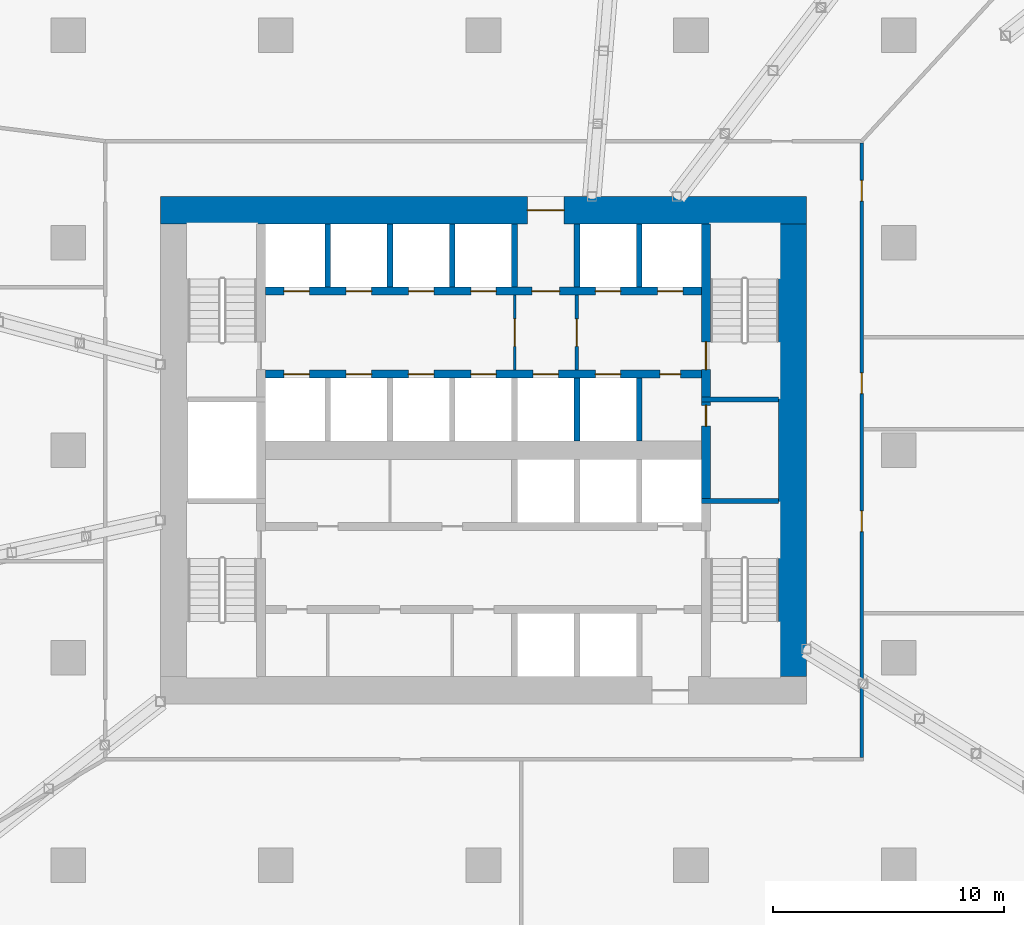
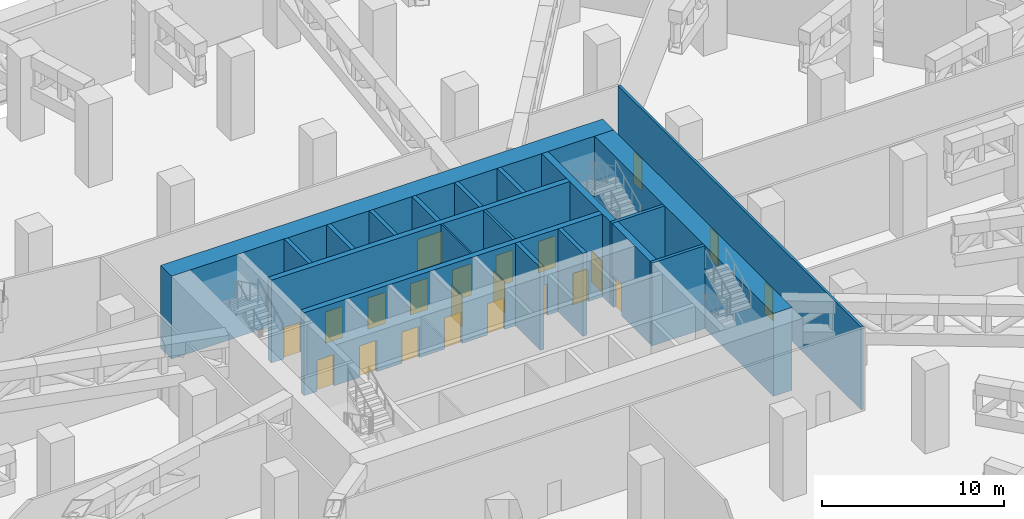
# One storey, part 18 of 38: 22 doors, 19 walls, 22 openings.
"""IFC4 building model written with IfcOpenShell, lengths in metres."""

import ifcopenshell
import ifcopenshell.guid

model = None  # the IFC model being written
_history = None  # IfcOwnerHistory: only IFC2X3 demands one
_inside = {}  # id of a spatial element -> (the spatial element, [elements in it])
_under = {}  # id of a project, library or spatial element -> (it, [spatial elements below it])
_declared = {}  # id of a project -> (the project, [libraries it declares])
_typed = {}  # id of a type object -> (the type object, [elements of that type])
_made_of = {}  # id of a material, layer set ... -> (it, [elements and type objects made of it])


def new_model(schema):
    """Start an empty IFC model of exactly this schema.

    Asked for "IFC4X3", IfcOpenShell would pick the latest addendum, in which some entities
    have other attributes; the version numbers below select the first issue.
    IFC2X3 requires an IfcOwnerHistory on every rooted entity: one is made here for all.
    """
    global model, _history
    if schema == "IFC4X3":
        model = ifcopenshell.file(schema_version=(4, 3, 0, 0))
    else:
        model = ifcopenshell.file(schema=schema)
    _inside.clear()
    _under.clear()
    _declared.clear()
    _typed.clear()
    _made_of.clear()
    _history = None
    if model.schema == "IFC2X3":
        org = make("IfcOrganization", Name="unknown")
        user = make(
            "IfcPersonAndOrganization",
            ThePerson=make("IfcPerson", FamilyName="unknown"),
            TheOrganization=org,
        )
        app = make(
            "IfcApplication",
            ApplicationDeveloper=org,
            Version="unknown",
            ApplicationFullName="unknown",
            ApplicationIdentifier="unknown",
        )
        _history = make(
            "IfcOwnerHistory",
            OwningUser=user,
            OwningApplication=app,
            ChangeAction="ADDED",
            CreationDate=0,
        )
    return model


def make(cls, **values):
    """One entity of the class cls with the attributes given. An attribute that is None is left unset."""
    return model.create_entity(
        cls, **{name: value for name, value in values.items() if value is not None}
    )


def rooted(cls, **values):
    """An entity with a GlobalId (a new one), such as an element, a storey or a relation."""
    return make(cls, GlobalId=ifcopenshell.guid.new(), OwnerHistory=_history, **values)


def si_unit(unit_type, name, prefix=None):
    """IfcSIUnit, for example si_unit("LENGTHUNIT", "METRE", prefix="MILLI")."""
    return make("IfcSIUnit", UnitType=unit_type, Prefix=prefix, Name=name)


def assignment(units):
    """IfcUnitAssignment: the units of a project."""
    return None if units is None else make("IfcUnitAssignment", Units=units)


def point(xyz):
    """IfcCartesianPoint."""
    return None if xyz is None else make("IfcCartesianPoint", Coordinates=xyz)


def direction(xyz):
    """IfcDirection."""
    return None if xyz is None else make("IfcDirection", DirectionRatios=xyz)


def frame(location, z_axis=None, x_axis=None):
    """IfcAxis2Placement3D, a coordinate frame: its origin and axes. An axis left out is left unset."""
    return make(
        "IfcAxis2Placement3D",
        Location=point(location),
        Axis=direction(z_axis),
        RefDirection=direction(x_axis),
    )


def frame_2d(location, x_axis=None):
    """IfcAxis2Placement2D, a coordinate frame in the plane: its origin and x axis."""
    return make(
        "IfcAxis2Placement2D", Location=point(location), RefDirection=direction(x_axis)
    )


def origin():
    """The frame at (0, 0, 0) with its axes left unset."""
    return frame((0.0, 0.0, 0.0))


def place(relative_to, where):
    """IfcLocalPlacement: puts the frame where relative to a parent placement (None: the world)."""
    return make(
        "IfcLocalPlacement", PlacementRelTo=relative_to, RelativePlacement=where
    )


def context(
    kind, dimensions, precision=None, world=None, true_north=None, identifier=None
):
    """IfcGeometricRepresentationContext, for example the 3D "Model" context."""
    return make(
        "IfcGeometricRepresentationContext",
        ContextIdentifier=identifier,
        ContextType=kind,
        CoordinateSpaceDimension=dimensions,
        Precision=precision,
        WorldCoordinateSystem=world,
        TrueNorth=true_north,
    )


def subcontext(parent, identifier, kind, view, scale=None):
    """IfcGeometricRepresentationSubContext, for example "Body" below "Model"."""
    return make(
        "IfcGeometricRepresentationSubContext",
        ContextIdentifier=identifier,
        ContextType=kind,
        ParentContext=parent,
        TargetScale=scale,
        TargetView=view,
    )


def project(units=None, contexts=None):
    """IfcProject with its units and contexts."""
    return rooted(
        "IfcProject",
        Name="project",
        RepresentationContexts=contexts,
        UnitsInContext=assignment(units),
    )


def spatial(cls, under=None, at=None, **own):
    """A site, building, storey or space (cls), placed at a placement, below another one or the project."""
    s = rooted(cls, ObjectPlacement=at, **own)
    if under is not None:
        _under.setdefault(under.id(), (under, []))[1].append(s)
    return s


def profile(cls, at=None, kind="AREA", **sizes):
    """A parametric profile (cls). Its sizes go by their IFC names, for example OverallWidth=200.0."""
    return make(cls, ProfileType=kind, Position=at, **sizes)


def rectangle(**sizes):
    """IfcRectangleProfileDef."""
    return profile("IfcRectangleProfileDef", **sizes)


def extrude(swept, where, along, depth):
    """IfcExtrudedAreaSolid: the profile swept, set in the frame where, extruded along a direction by depth."""
    return make(
        "IfcExtrudedAreaSolid",
        SweptArea=swept,
        Position=where,
        ExtrudedDirection=direction(along),
        Depth=depth,
    )


def shape(context_of_items, identifier, shape_type, items):
    """IfcShapeRepresentation: the items that make up one representation, for example the "Body"."""
    return make(
        "IfcShapeRepresentation",
        ContextOfItems=context_of_items,
        RepresentationIdentifier=identifier,
        RepresentationType=shape_type,
        Items=items,
    )


def material(Name=None, Category=None):
    """IfcMaterial."""
    return make("IfcMaterial", Name=Name, Category=Category)


def layer(
    of_material, thickness, ventilated=None, Name=None, Category=None, Priority=None
):
    """IfcMaterialLayer: one layer of a wall or slab, of a material (None: an air gap)."""
    return make(
        "IfcMaterialLayer",
        Material=of_material,
        LayerThickness=thickness,
        IsVentilated=ventilated,
        Name=Name,
        Category=Category,
        Priority=Priority,
    )


def layer_set(layers, Name=None):
    """IfcMaterialLayerSet."""
    return make("IfcMaterialLayerSet", MaterialLayers=layers, LayerSetName=Name)


def made_of(thing, what):
    """Note that an element or type object is made of a material, layer set ...; save() writes the relation."""
    if what is not None:
        _made_of.setdefault(what.id(), (what, []))[1].append(thing)
    return thing


def type_object(cls, material=None, **own):
    """A type object (cls), such as IfcWallType, which elements share."""
    return made_of(rooted(cls, **own), material)


def element(
    cls,
    number,
    at=None,
    inside=None,
    cuts=None,
    type_object=None,
    material=None,
    context=None,
    identifier="Body",
    shape_type=None,
    held_by="IfcProductDefinitionShape",
    body=None,
    shapes=None,
    **own,
):
    """One element of the class cls, such as IfcWall. Its Tag is "e" and its number.

    at: its placement. inside: the storey or other place that contains it. cuts: it is an
    opening in that element (IfcRelVoidsElement). A single representation is given by context,
    identifier, shape_type and body (its items); several are given by shapes. held_by: the class
    of the entity that holds the representations. save() writes the other relations.
    """
    e = rooted(cls, Tag="e%d" % number, ObjectPlacement=at, **own)
    if body is not None:
        shapes = [shape(context, identifier, shape_type, body)]
    if shapes is not None:
        e.Representation = make(held_by, Representations=shapes)
    if inside is not None:
        _inside.setdefault(inside.id(), (inside, []))[1].append(e)
    if cuts is not None:
        rooted(
            "IfcRelVoidsElement", RelatingBuildingElement=cuts, RelatedOpeningElement=e
        )
    if type_object is not None:
        _typed.setdefault(type_object.id(), (type_object, []))[1].append(e)
    return made_of(e, material)


def fill(opening, filler):
    """IfcRelFillsElement: the door or window that sits in an opening."""
    return rooted(
        "IfcRelFillsElement",
        RelatingOpeningElement=opening,
        RelatedBuildingElement=filler,
    )


def aggregate(whole, parts):
    """IfcRelAggregates: a whole, such as a stair, and the parts it consists of."""
    return rooted("IfcRelAggregates", RelatingObject=whole, RelatedObjects=parts)


def save(model, path):
    """Write the relations noted so far, then the file.

    IfcRelAggregates (storeys below a building ...), IfcRelContainedInSpatialStructure (elements
    in a storey), IfcRelDefinesByType, IfcRelAssociatesMaterial and IfcRelDeclares: one each for
    every whole, place, type object, material and project.
    """
    for whole, parts in _under.values():
        aggregate(whole, parts)
    for where, things in _inside.values():
        rooted(
            "IfcRelContainedInSpatialStructure",
            RelatedElements=things,
            RelatingStructure=where,
        )
    for kind, things in _typed.values():
        rooted("IfcRelDefinesByType", RelatedObjects=things, RelatingType=kind)
    for what, things in _made_of.values():
        rooted("IfcRelAssociatesMaterial", RelatedObjects=things, RelatingMaterial=what)
    for by, libraries in _declared.values():
        rooted("IfcRelDeclares", RelatingContext=by, RelatedDefinitions=libraries)
    model.write(path)


model = new_model("IFC4")

# Units and contexts
model_context = context("Model", 3, precision=1e-05, world=origin(), true_north=direction((0.0, 1.0)))
body_context = subcontext(model_context, "Body", "Model", "MODEL_VIEW")
ifc_project = project(units=[si_unit("LENGTHUNIT", "METRE"), si_unit("AREAUNIT", "SQUARE_METRE"), si_unit("VOLUMEUNIT", "CUBIC_METRE"), si_unit("PLANEANGLEUNIT", "RADIAN"), si_unit("MASSUNIT", "GRAM", prefix="KILO")], contexts=[model_context])

# Site, building, storey
site_placement = place(None, origin())
site = spatial("IfcSite", under=ifc_project, at=site_placement, CompositionType="ELEMENT")
building_placement = place(site_placement, origin())
building = spatial("IfcBuilding", under=site, at=building_placement, Name="Dongbaek Canopy Tower", CompositionType="ELEMENT")
storey_placement = place(building_placement, frame((0.0, 0.0, 89.199951171875)))
storey = spatial("IfcBuildingStorey", under=building, at=storey_placement, Name="L18", CompositionType="ELEMENT", Elevation=89.199951171875)

# Wall, openings, doors
ifc_material_1 = material(Name="Concrete C60/75", Category="concrete")
ifc_layer_1 = layer(ifc_material_1, 0.35009765625)
ifc_layer_set_1 = layer_set([ifc_layer_1], Name="Core lobby wall 350 Concrete C60/75")
wall_type_1 = type_object("IfcWallType", Name="Core lobby wall 350 Concrete C60/75", PredefinedType="SHEAR", material=ifc_layer_set_1)
wall_1_placement = place(storey_placement, frame((-9.449951171875, 6.89990234375, 0.0), z_axis=(0.0, 0.0, 1.0), x_axis=(1.0, 0.0, 0.0)))
wall_1 = element("IfcWall", 1, at=wall_1_placement, inside=storey, type_object=wall_type_1, Name="Core wall", PredefinedType="SHEAR", context=body_context, shape_type="SweptSolid", body=[
    extrude(rectangle(XDim=18.89990234375, YDim=0.35009765625, at=frame_2d((9.449951171875, 0.0))), origin(), (0.0, 0.0, 1.0), 5.550048828125),
])
opening_1_placement = place(wall_1_placement, frame((0.800048828125, 0.0, 0.0)))
opening_1 = element("IfcOpeningElement", 2, at=opening_1_placement, cuts=wall_1, Name="Opening L18-D011", PredefinedType="OPENING", context=body_context, shape_type="SweptSolid", body=[
    extrude(rectangle(XDim=1.10009765625, YDim=2.10009765625, at=frame_2d((0.550048828125, 1.050048828125))), frame((0.0, 0.18505859375, 0.0), z_axis=(0.0, -1.0, 0.0), x_axis=(1.0, 0.0, 0.0)), (0.0, 0.0, 1.0), 0.3701171875),
])
opening_2_placement = place(wall_1_placement, frame((3.5, 0.0, 0.0)))
opening_2 = element("IfcOpeningElement", 3, at=opening_2_placement, cuts=wall_1, Name="Opening L18-D012", PredefinedType="OPENING", context=body_context, shape_type="SweptSolid", body=[
    extrude(rectangle(XDim=1.10009765625, YDim=2.10009765625, at=frame_2d((0.550048828125, 1.050048828125))), frame((0.0, 0.18505859375, 0.0), z_axis=(0.0, -1.0, 0.0), x_axis=(1.0, 0.0, 0.0)), (0.0, 0.0, 1.0), 0.3701171875),
])
opening_3_placement = place(wall_1_placement, frame((6.199951171875, 0.0, 0.0)))
opening_3 = element("IfcOpeningElement", 4, at=opening_3_placement, cuts=wall_1, Name="Opening L18-D013", PredefinedType="OPENING", context=body_context, shape_type="SweptSolid", body=[
    extrude(rectangle(XDim=1.10009765625, YDim=2.10009765625, at=frame_2d((0.550048828125, 1.050048828125))), frame((0.0, 0.18505859375, 0.0), z_axis=(0.0, -1.0, 0.0), x_axis=(1.0, 0.0, 0.0)), (0.0, 0.0, 1.0), 0.3701171875),
])
opening_4_placement = place(wall_1_placement, frame((8.89990234375, 0.0, 0.0)))
opening_4 = element("IfcOpeningElement", 5, at=opening_4_placement, cuts=wall_1, Name="Opening L18-D014", PredefinedType="OPENING", context=body_context, shape_type="SweptSolid", body=[
    extrude(rectangle(XDim=1.10009765625, YDim=2.10009765625, at=frame_2d((0.550048828125, 1.050048828125))), frame((0.0, 0.18505859375, 0.0), z_axis=(0.0, -1.0, 0.0), x_axis=(1.0, 0.0, 0.0)), (0.0, 0.0, 1.0), 0.3701171875),
])
opening_5_placement = place(wall_1_placement, frame((11.550048828125, 0.0, 0.0)))
opening_5 = element("IfcOpeningElement", 6, at=opening_5_placement, cuts=wall_1, Name="Opening L18-D016", PredefinedType="OPENING", context=body_context, shape_type="SweptSolid", body=[
    extrude(rectangle(XDim=1.199951171875, YDim=2.10009765625, at=frame_2d((0.60009765625, 1.050048828125))), frame((0.0, 0.18505859375, 0.0), z_axis=(0.0, -1.0, 0.0), x_axis=(1.0, 0.0, 0.0)), (0.0, 0.0, 1.0), 0.3701171875),
])
opening_6_placement = place(wall_1_placement, frame((14.300048828125, 0.0, 0.0)))
opening_6 = element("IfcOpeningElement", 7, at=opening_6_placement, cuts=wall_1, Name="Opening L18-D017", PredefinedType="OPENING", context=body_context, shape_type="SweptSolid", body=[
    extrude(rectangle(XDim=1.10009765625, YDim=2.10009765625, at=frame_2d((0.550048828125, 1.050048828125))), frame((0.0, 0.18505859375, 0.0), z_axis=(0.0, -1.0, 0.0), x_axis=(1.0, 0.0, 0.0)), (0.0, 0.0, 1.0), 0.3701171875),
])
opening_7_placement = place(wall_1_placement, frame((17.0, 0.0, 0.0)))
opening_7 = element("IfcOpeningElement", 8, at=opening_7_placement, cuts=wall_1, Name="Opening L18-D018", PredefinedType="OPENING", context=body_context, shape_type="SweptSolid", body=[
    extrude(rectangle(XDim=1.10009765625, YDim=2.10009765625, at=frame_2d((0.550048828125, 1.050048828125))), frame((0.0, 0.18505859375, 0.0), z_axis=(0.0, -1.0, 0.0), x_axis=(1.0, 0.0, 0.0)), (0.0, 0.0, 1.0), 0.3701171875),
])
ifc_material_2 = material(Name="Steel", Category="steel")
door_type_1 = type_object("IfcDoorType", Name="Fire lobby door 1200 x 2100", OperationType="SINGLE_SWING_LEFT", PredefinedType="DOOR", material=ifc_material_2)
door_1_placement = place(opening_5_placement, origin())
door_1 = element("IfcDoor", 9, at=door_1_placement, inside=storey, type_object=door_type_1, Name="Door L18-D016", OperationType="SINGLE_SWING_LEFT", OverallHeight=2.10009765625, OverallWidth=1.199951171875, PredefinedType="DOOR", context=body_context, shape_type="SweptSolid", body=[
    extrude(rectangle(XDim=1.199951171875, YDim=2.10009765625, at=frame_2d((0.60009765625, 1.050048828125))), frame((0.0, 0.02490234375, 0.0), z_axis=(0.0, -1.0, 0.0), x_axis=(1.0, 0.0, 0.0)), (0.0, 0.0, 1.0), 0.050048828125),
])
fill(opening_5, door_1)
ifc_material_3 = material(Name="Stainless steel", Category="steel")
door_type_2 = type_object("IfcDoorType", Name="Lift landing door 1100 x 2100", OperationType="DOUBLE_DOOR_SLIDING", PredefinedType="DOOR", material=ifc_material_3)
door_2_placement = place(opening_1_placement, origin())
door_2 = element("IfcDoor", 10, at=door_2_placement, inside=storey, type_object=door_type_2, Name="Landing door LR1", OperationType="DOUBLE_DOOR_SLIDING", OverallHeight=2.10009765625, OverallWidth=1.10009765625, PredefinedType="DOOR", context=body_context, shape_type="SweptSolid", body=[
    extrude(rectangle(XDim=1.10009765625, YDim=2.10009765625, at=frame_2d((0.550048828125, 1.050048828125))), frame((0.0, 0.02490234375, 0.0), z_axis=(0.0, -1.0, 0.0), x_axis=(1.0, 0.0, 0.0)), (0.0, 0.0, 1.0), 0.050048828125),
])
fill(opening_1, door_2)
door_3_placement = place(opening_2_placement, origin())
door_3 = element("IfcDoor", 11, at=door_3_placement, inside=storey, type_object=door_type_2, Name="Landing door LR2", OperationType="DOUBLE_DOOR_SLIDING", OverallHeight=2.10009765625, OverallWidth=1.10009765625, PredefinedType="DOOR", context=body_context, shape_type="SweptSolid", body=[
    extrude(rectangle(XDim=1.10009765625, YDim=2.10009765625, at=frame_2d((0.550048828125, 1.050048828125))), frame((0.0, 0.02490234375, 0.0), z_axis=(0.0, -1.0, 0.0), x_axis=(1.0, 0.0, 0.0)), (0.0, 0.0, 1.0), 0.050048828125),
])
fill(opening_2, door_3)
door_4_placement = place(opening_3_placement, origin())
door_4 = element("IfcDoor", 12, at=door_4_placement, inside=storey, type_object=door_type_2, Name="Landing door LR3", OperationType="DOUBLE_DOOR_SLIDING", OverallHeight=2.10009765625, OverallWidth=1.10009765625, PredefinedType="DOOR", context=body_context, shape_type="SweptSolid", body=[
    extrude(rectangle(XDim=1.10009765625, YDim=2.10009765625, at=frame_2d((0.550048828125, 1.050048828125))), frame((0.0, 0.02490234375, 0.0), z_axis=(0.0, -1.0, 0.0), x_axis=(1.0, 0.0, 0.0)), (0.0, 0.0, 1.0), 0.050048828125),
])
fill(opening_3, door_4)
door_5_placement = place(opening_4_placement, origin())
door_5 = element("IfcDoor", 13, at=door_5_placement, inside=storey, type_object=door_type_2, Name="Landing door LR4", OperationType="DOUBLE_DOOR_SLIDING", OverallHeight=2.10009765625, OverallWidth=1.10009765625, PredefinedType="DOOR", context=body_context, shape_type="SweptSolid", body=[
    extrude(rectangle(XDim=1.10009765625, YDim=2.10009765625, at=frame_2d((0.550048828125, 1.050048828125))), frame((0.0, 0.02490234375, 0.0), z_axis=(0.0, -1.0, 0.0), x_axis=(1.0, 0.0, 0.0)), (0.0, 0.0, 1.0), 0.050048828125),
])
fill(opening_4, door_5)
door_6_placement = place(opening_6_placement, origin())
door_6 = element("IfcDoor", 14, at=door_6_placement, inside=storey, type_object=door_type_2, Name="Landing door FF1", OperationType="DOUBLE_DOOR_SLIDING", OverallHeight=2.10009765625, OverallWidth=1.10009765625, PredefinedType="DOOR", context=body_context, shape_type="SweptSolid", body=[
    extrude(rectangle(XDim=1.10009765625, YDim=2.10009765625, at=frame_2d((0.550048828125, 1.050048828125))), frame((0.0, 0.02490234375, 0.0), z_axis=(0.0, -1.0, 0.0), x_axis=(1.0, 0.0, 0.0)), (0.0, 0.0, 1.0), 0.050048828125),
])
fill(opening_6, door_6)
door_7_placement = place(opening_7_placement, origin())
door_7 = element("IfcDoor", 15, at=door_7_placement, inside=storey, type_object=door_type_2, Name="Landing door FF2", OperationType="DOUBLE_DOOR_SLIDING", OverallHeight=2.10009765625, OverallWidth=1.10009765625, PredefinedType="DOOR", context=body_context, shape_type="SweptSolid", body=[
    extrude(rectangle(XDim=1.10009765625, YDim=2.10009765625, at=frame_2d((0.550048828125, 1.050048828125))), frame((0.0, 0.02490234375, 0.0), z_axis=(0.0, -1.0, 0.0), x_axis=(1.0, 0.0, 0.0)), (0.0, 0.0, 1.0), 0.050048828125),
])
fill(opening_7, door_7)

wall_2_placement = place(storey_placement, frame((9.449951171875, 3.300048828125, 0.0), z_axis=(0.0, 0.0, 1.0), x_axis=(-1.0, 0.0, 0.0)))
wall_2 = element("IfcWall", 16, at=wall_2_placement, inside=storey, type_object=wall_type_1, Name="Core wall", PredefinedType="SHEAR", context=body_context, shape_type="SweptSolid", body=[
    extrude(rectangle(XDim=18.89990234375, YDim=0.35009765625, at=frame_2d((9.449951171875, 0.0))), origin(), (0.0, 0.0, 1.0), 5.550048828125),
])
opening_8_placement = place(wall_2_placement, frame((17.0, 0.0, 0.0)))
opening_8 = element("IfcOpeningElement", 17, at=opening_8_placement, cuts=wall_2, Name="Opening L18-D019", PredefinedType="OPENING", context=body_context, shape_type="SweptSolid", body=[
    extrude(rectangle(XDim=1.10009765625, YDim=2.10009765625, at=frame_2d((0.550048828125, 1.050048828125))), frame((0.0, 0.18505859375, 0.0), z_axis=(0.0, -1.0, 0.0), x_axis=(1.0, 0.0, 0.0)), (0.0, 0.0, 1.0), 0.3701171875),
])
opening_9_placement = place(wall_2_placement, frame((14.300048828125, 0.0, 0.0)))
opening_9 = element("IfcOpeningElement", 18, at=opening_9_placement, cuts=wall_2, Name="Opening L18-D020", PredefinedType="OPENING", context=body_context, shape_type="SweptSolid", body=[
    extrude(rectangle(XDim=1.10009765625, YDim=2.10009765625, at=frame_2d((0.550048828125, 1.050048828125))), frame((0.0, 0.18505859375, 0.0), z_axis=(0.0, -1.0, 0.0), x_axis=(1.0, 0.0, 0.0)), (0.0, 0.0, 1.0), 0.3701171875),
])
opening_10_placement = place(wall_2_placement, frame((11.60009765625, 0.0, 0.0)))
opening_10 = element("IfcOpeningElement", 19, at=opening_10_placement, cuts=wall_2, Name="Opening L18-D021", PredefinedType="OPENING", context=body_context, shape_type="SweptSolid", body=[
    extrude(rectangle(XDim=1.10009765625, YDim=2.10009765625, at=frame_2d((0.550048828125, 1.050048828125))), frame((0.0, 0.18505859375, 0.0), z_axis=(0.0, -1.0, 0.0), x_axis=(1.0, 0.0, 0.0)), (0.0, 0.0, 1.0), 0.3701171875),
])
opening_11_placement = place(wall_2_placement, frame((8.89990234375, 0.0, 0.0)))
opening_11 = element("IfcOpeningElement", 20, at=opening_11_placement, cuts=wall_2, Name="Opening L18-D022", PredefinedType="OPENING", context=body_context, shape_type="SweptSolid", body=[
    extrude(rectangle(XDim=1.10009765625, YDim=2.10009765625, at=frame_2d((0.550048828125, 1.050048828125))), frame((0.0, 0.18505859375, 0.0), z_axis=(0.0, -1.0, 0.0), x_axis=(1.0, 0.0, 0.0)), (0.0, 0.0, 1.0), 0.3701171875),
])
opening_12_placement = place(wall_2_placement, frame((6.199951171875, 0.0, 0.0)))
opening_12 = element("IfcOpeningElement", 21, at=opening_12_placement, cuts=wall_2, Name="Opening L18-D023", PredefinedType="OPENING", context=body_context, shape_type="SweptSolid", body=[
    extrude(rectangle(XDim=1.10009765625, YDim=2.10009765625, at=frame_2d((0.550048828125, 1.050048828125))), frame((0.0, 0.18505859375, 0.0), z_axis=(0.0, -1.0, 0.0), x_axis=(1.0, 0.0, 0.0)), (0.0, 0.0, 1.0), 0.3701171875),
])
opening_13_placement = place(wall_2_placement, frame((3.5, 0.0, 0.0)))
opening_13 = element("IfcOpeningElement", 22, at=opening_13_placement, cuts=wall_2, Name="Opening L18-D024", PredefinedType="OPENING", context=body_context, shape_type="SweptSolid", body=[
    extrude(rectangle(XDim=1.10009765625, YDim=2.10009765625, at=frame_2d((0.550048828125, 1.050048828125))), frame((0.0, 0.18505859375, 0.0), z_axis=(0.0, -1.0, 0.0), x_axis=(1.0, 0.0, 0.0)), (0.0, 0.0, 1.0), 0.3701171875),
])
opening_14_placement = place(wall_2_placement, frame((0.89990234375, 0.0, 0.0)))
opening_14 = element("IfcOpeningElement", 23, at=opening_14_placement, cuts=wall_2, Name="Opening L18-D025", PredefinedType="OPENING", context=body_context, shape_type="SweptSolid", body=[
    extrude(rectangle(XDim=0.89990234375, YDim=2.10009765625, at=frame_2d((0.449951171875, 1.050048828125))), frame((0.0, 0.18505859375, 0.0), z_axis=(0.0, -1.0, 0.0), x_axis=(1.0, 0.0, 0.0)), (0.0, 0.0, 1.0), 0.3701171875),
])
ifc_material_4 = material(Name="Steel", Category="steel")
door_type_3 = type_object("IfcDoorType", Name="Core room door 900 x 2100", OperationType="SINGLE_SWING_LEFT", PredefinedType="DOOR", material=ifc_material_4)
door_8_placement = place(opening_14_placement, origin())
door_8 = element("IfcDoor", 24, at=door_8_placement, inside=storey, type_object=door_type_3, Name="Door L18-D025", OperationType="SINGLE_SWING_LEFT", OverallHeight=2.10009765625, OverallWidth=0.89990234375, PredefinedType="DOOR", context=body_context, shape_type="SweptSolid", body=[
    extrude(rectangle(XDim=0.89990234375, YDim=2.10009765625, at=frame_2d((0.449951171875, 1.050048828125))), frame((0.0, 0.02490234375, 0.0), z_axis=(0.0, -1.0, 0.0), x_axis=(1.0, 0.0, 0.0)), (0.0, 0.0, 1.0), 0.050048828125),
])
fill(opening_14, door_8)
door_9_placement = place(opening_8_placement, origin())
door_9 = element("IfcDoor", 25, at=door_9_placement, inside=storey, type_object=door_type_2, Name="Landing door LR5", OperationType="DOUBLE_DOOR_SLIDING", OverallHeight=2.10009765625, OverallWidth=1.10009765625, PredefinedType="DOOR", context=body_context, shape_type="SweptSolid", body=[
    extrude(rectangle(XDim=1.10009765625, YDim=2.10009765625, at=frame_2d((0.550048828125, 1.050048828125))), frame((0.0, 0.02490234375, 0.0), z_axis=(0.0, -1.0, 0.0), x_axis=(1.0, 0.0, 0.0)), (0.0, 0.0, 1.0), 0.050048828125),
])
fill(opening_8, door_9)
door_10_placement = place(opening_9_placement, origin())
door_10 = element("IfcDoor", 26, at=door_10_placement, inside=storey, type_object=door_type_2, Name="Landing door LR6", OperationType="DOUBLE_DOOR_SLIDING", OverallHeight=2.10009765625, OverallWidth=1.10009765625, PredefinedType="DOOR", context=body_context, shape_type="SweptSolid", body=[
    extrude(rectangle(XDim=1.10009765625, YDim=2.10009765625, at=frame_2d((0.550048828125, 1.050048828125))), frame((0.0, 0.02490234375, 0.0), z_axis=(0.0, -1.0, 0.0), x_axis=(1.0, 0.0, 0.0)), (0.0, 0.0, 1.0), 0.050048828125),
])
fill(opening_9, door_10)
door_11_placement = place(opening_10_placement, origin())
door_11 = element("IfcDoor", 27, at=door_11_placement, inside=storey, type_object=door_type_2, Name="Landing door LR7", OperationType="DOUBLE_DOOR_SLIDING", OverallHeight=2.10009765625, OverallWidth=1.10009765625, PredefinedType="DOOR", context=body_context, shape_type="SweptSolid", body=[
    extrude(rectangle(XDim=1.10009765625, YDim=2.10009765625, at=frame_2d((0.550048828125, 1.050048828125))), frame((0.0, 0.02490234375, 0.0), z_axis=(0.0, -1.0, 0.0), x_axis=(1.0, 0.0, 0.0)), (0.0, 0.0, 1.0), 0.050048828125),
])
fill(opening_10, door_11)
door_12_placement = place(opening_11_placement, origin())
door_12 = element("IfcDoor", 28, at=door_12_placement, inside=storey, type_object=door_type_2, Name="Landing door LR8", OperationType="DOUBLE_DOOR_SLIDING", OverallHeight=2.10009765625, OverallWidth=1.10009765625, PredefinedType="DOOR", context=body_context, shape_type="SweptSolid", body=[
    extrude(rectangle(XDim=1.10009765625, YDim=2.10009765625, at=frame_2d((0.550048828125, 1.050048828125))), frame((0.0, 0.02490234375, 0.0), z_axis=(0.0, -1.0, 0.0), x_axis=(1.0, 0.0, 0.0)), (0.0, 0.0, 1.0), 0.050048828125),
])
fill(opening_11, door_12)
door_13_placement = place(opening_12_placement, origin())
door_13 = element("IfcDoor", 29, at=door_13_placement, inside=storey, type_object=door_type_2, Name="Landing door SV1", OperationType="DOUBLE_DOOR_SLIDING", OverallHeight=2.10009765625, OverallWidth=1.10009765625, PredefinedType="DOOR", context=body_context, shape_type="SweptSolid", body=[
    extrude(rectangle(XDim=1.10009765625, YDim=2.10009765625, at=frame_2d((0.550048828125, 1.050048828125))), frame((0.0, 0.02490234375, 0.0), z_axis=(0.0, -1.0, 0.0), x_axis=(1.0, 0.0, 0.0)), (0.0, 0.0, 1.0), 0.050048828125),
])
fill(opening_12, door_13)
door_14_placement = place(opening_13_placement, origin())
door_14 = element("IfcDoor", 30, at=door_14_placement, inside=storey, type_object=door_type_2, Name="Landing door FF3", OperationType="DOUBLE_DOOR_SLIDING", OverallHeight=2.10009765625, OverallWidth=1.10009765625, PredefinedType="DOOR", context=body_context, shape_type="SweptSolid", body=[
    extrude(rectangle(XDim=1.10009765625, YDim=2.10009765625, at=frame_2d((0.550048828125, 1.050048828125))), frame((0.0, 0.02490234375, 0.0), z_axis=(0.0, -1.0, 0.0), x_axis=(1.0, 0.0, 0.0)), (0.0, 0.0, 1.0), 0.050048828125),
])
fill(opening_13, door_14)

# Wall, opening, door
ifc_material_5 = material(Name="Concrete C60/75", Category="concrete")
ifc_layer_2 = layer(ifc_material_5, 1.199951171875)
ifc_layer_set_2 = layer_set([ifc_layer_2], Name="Core outer wall 1200 Concrete C60/75")
wall_type_2 = type_object("IfcWallType", Name="Core outer wall 1200 Concrete C60/75", PredefinedType="SHEAR", material=ifc_layer_set_2)
wall_3_placement = place(storey_placement, frame((-14.0, 10.39990234375, 0.0), z_axis=(0.0, 0.0, 1.0), x_axis=(1.0, 0.0, 0.0)))
wall_3 = element("IfcWall", 31, at=wall_3_placement, inside=storey, type_object=wall_type_2, Name="Core wall", PredefinedType="SHEAR", context=body_context, shape_type="SweptSolid", body=[
    extrude(rectangle(XDim=28.0, YDim=1.199951171875, at=frame_2d((14.0, 0.0))), origin(), (0.0, 0.0, 1.0), 5.550048828125),
])
opening_15_placement = place(wall_3_placement, frame((15.89990234375, 0.0, 0.0)))
opening_15 = element("IfcOpeningElement", 32, at=opening_15_placement, cuts=wall_3, Name="Opening L18-D015", PredefinedType="OPENING", context=body_context, shape_type="SweptSolid", body=[
    extrude(rectangle(XDim=1.60009765625, YDim=2.10009765625, at=frame_2d((0.800048828125, 1.050048828125))), frame((0.0, 0.60986328125, 0.0), z_axis=(0.0, -1.0, 0.0), x_axis=(1.0, 0.0, 0.0)), (0.0, 0.0, 1.0), 1.219970703125),
])
ifc_material_6 = material(Name="Steel", Category="steel")
door_type_4 = type_object("IfcDoorType", Name="Core exit door 1600 x 2100", OperationType="DOUBLE_DOOR_SINGLE_SWING", PredefinedType="DOOR", material=ifc_material_6)
door_15_placement = place(opening_15_placement, origin())
door_15 = element("IfcDoor", 33, at=door_15_placement, inside=storey, type_object=door_type_4, Name="Core exit door", OperationType="DOUBLE_DOOR_SINGLE_SWING", OverallHeight=2.10009765625, OverallWidth=1.60009765625, PredefinedType="DOOR", context=body_context, shape_type="SweptSolid", body=[
    extrude(rectangle(XDim=1.60009765625, YDim=2.10009765625, at=frame_2d((0.800048828125, 1.050048828125))), frame((0.0, 0.02490234375, 0.0), z_axis=(0.0, -1.0, 0.0), x_axis=(1.0, 0.0, 0.0)), (0.0, 0.0, 1.0), 0.050048828125),
])
fill(opening_15, door_15)

# Wall
wall_4_placement = place(storey_placement, frame((13.39990234375, 9.800048828125, 0.0), z_axis=(0.0, 0.0, 1.0), x_axis=(0.0, -1.0, 0.0)))
element("IfcWall", 34, at=wall_4_placement, inside=storey, type_object=wall_type_2, Name="Core wall", PredefinedType="SHEAR", context=body_context, shape_type="SweptSolid", body=[
    extrude(rectangle(XDim=19.60009765625, YDim=1.199951171875, at=frame_2d((9.800048828125, 0.0))), origin(), (0.0, 0.0, 1.0), 5.550048828125),
])

# Wall, openings, doors
ifc_material_7 = material(Name="Gypsum board partition, steel stud, 2 x 15 mm fire board", Category="steel")
ifc_layer_3 = layer(ifc_material_7, 0.14990234375)
ifc_layer_set_3 = layer_set([ifc_layer_3], Name="Fire-rated partition 150 gypsum board")
wall_type_3 = type_object("IfcWallType", Name="Fire-rated partition 150 gypsum board", PredefinedType="PARTITIONING", material=ifc_layer_set_3)
wall_5_placement = place(storey_placement, frame((16.39990234375, 13.324951171875, 0.0), z_axis=(0.0, 0.0, 1.0), x_axis=(0.0, -1.0, 0.0)))
wall_5 = element("IfcWall", 35, at=wall_5_placement, inside=storey, type_object=wall_type_3, Name="Corridor partition", PredefinedType="PARTITIONING", context=body_context, shape_type="SweptSolid", body=[
    extrude(rectangle(XDim=26.64990234375, YDim=0.14990234375, at=frame_2d((13.324951171875, 0.0))), origin(), (0.0, 0.0, 1.0), 5.550048828125),
])
opening_16_placement = place(wall_5_placement, frame((15.9521484375, 0.0, 0.0)))
opening_16 = element("IfcOpeningElement", 36, at=opening_16_placement, cuts=wall_5, Name="Opening L18-D004", PredefinedType="OPENING", context=body_context, shape_type="SweptSolid", body=[
    extrude(rectangle(XDim=0.89990234375, YDim=2.10009765625, at=frame_2d((0.449951171875, 1.050048828125))), frame((0.0, 0.0849609375, 0.0), z_axis=(0.0, -1.0, 0.0), x_axis=(1.0, 0.0, 0.0)), (0.0, 0.0, 1.0), 0.169921875),
])
opening_17_placement = place(wall_5_placement, frame((9.96923828125, 0.0, 0.0)))
opening_17 = element("IfcOpeningElement", 37, at=opening_17_placement, cuts=wall_5, Name="Opening L18-D005", PredefinedType="OPENING", context=body_context, shape_type="SweptSolid", body=[
    extrude(rectangle(XDim=0.89990234375, YDim=2.10009765625, at=frame_2d((0.449951171875, 1.050048828125))), frame((0.0, 0.0849609375, 0.0), z_axis=(0.0, -1.0, 0.0), x_axis=(1.0, 0.0, 0.0)), (0.0, 0.0, 1.0), 0.169921875),
])
opening_18_placement = place(wall_5_placement, frame((1.621337890625, 0.0, 0.0)))
opening_18 = element("IfcOpeningElement", 38, at=opening_18_placement, cuts=wall_5, Name="Opening L18-D006", PredefinedType="OPENING", context=body_context, shape_type="SweptSolid", body=[
    extrude(rectangle(XDim=0.89990234375, YDim=2.10009765625, at=frame_2d((0.449951171875, 1.050048828125))), frame((0.0, 0.0849609375, 0.0), z_axis=(0.0, -1.0, 0.0), x_axis=(1.0, 0.0, 0.0)), (0.0, 0.0, 1.0), 0.169921875),
])
ifc_material_8 = material(Name="Timber veneered door leaf", Category="wood")
door_type_5 = type_object("IfcDoorType", Name="Room door 900 x 2100", OperationType="SINGLE_SWING_LEFT", PredefinedType="DOOR", material=ifc_material_8)
door_16_placement = place(opening_16_placement, origin())
door_16 = element("IfcDoor", 39, at=door_16_placement, inside=storey, type_object=door_type_5, Name="Door L18-D004", OperationType="SINGLE_SWING_LEFT", OverallHeight=2.10009765625, OverallWidth=0.89990234375, PredefinedType="DOOR", context=body_context, shape_type="SweptSolid", body=[
    extrude(rectangle(XDim=0.89990234375, YDim=2.10009765625, at=frame_2d((0.449951171875, 1.050048828125))), frame((0.0, 0.02490234375, 0.0), z_axis=(0.0, -1.0, 0.0), x_axis=(1.0, 0.0, 0.0)), (0.0, 0.0, 1.0), 0.050048828125),
])
fill(opening_16, door_16)
door_17_placement = place(opening_17_placement, origin())
door_17 = element("IfcDoor", 40, at=door_17_placement, inside=storey, type_object=door_type_5, Name="Door L18-D005", OperationType="SINGLE_SWING_RIGHT", OverallHeight=2.10009765625, OverallWidth=0.89990234375, PredefinedType="DOOR", context=body_context, shape_type="SweptSolid", body=[
    extrude(rectangle(XDim=0.89990234375, YDim=2.10009765625, at=frame_2d((0.449951171875, 1.050048828125))), frame((0.0, 0.02490234375, 0.0), z_axis=(0.0, -1.0, 0.0), x_axis=(1.0, 0.0, 0.0)), (0.0, 0.0, 1.0), 0.050048828125),
])
fill(opening_17, door_17)
door_18_placement = place(opening_18_placement, origin())
door_18 = element("IfcDoor", 41, at=door_18_placement, inside=storey, type_object=door_type_5, Name="Door L18-D006", OperationType="SINGLE_SWING_LEFT", OverallHeight=2.10009765625, OverallWidth=0.89990234375, PredefinedType="DOOR", context=body_context, shape_type="SweptSolid", body=[
    extrude(rectangle(XDim=0.89990234375, YDim=2.10009765625, at=frame_2d((0.449951171875, 1.050048828125))), frame((0.0, 0.02490234375, 0.0), z_axis=(0.0, -1.0, 0.0), x_axis=(1.0, 0.0, 0.0)), (0.0, 0.0, 1.0), 0.050048828125),
])
fill(opening_18, door_18)

# Wall, opening, door
wall_6_placement = place(storey_placement, frame((4.050048828125, 6.72509765625, 0.0), z_axis=(0.0, 0.0, 1.0), x_axis=(0.0, -1.0, 0.0)))
wall_6 = element("IfcWall", 42, at=wall_6_placement, inside=storey, type_object=wall_type_3, Name="Fire lobby partition", PredefinedType="PARTITIONING", context=body_context, shape_type="SweptSolid", body=[
    extrude(rectangle(XDim=3.25, YDim=0.14990234375, at=frame_2d((1.625, 0.0))), origin(), (0.0, 0.0, 1.0), 5.550048828125),
])
opening_19_placement = place(wall_6_placement, frame((1.02490234375, 0.0, 0.0)))
opening_19 = element("IfcOpeningElement", 43, at=opening_19_placement, cuts=wall_6, Name="Opening L18-D039", PredefinedType="OPENING", context=body_context, shape_type="SweptSolid", body=[
    extrude(rectangle(XDim=1.199951171875, YDim=2.10009765625, at=frame_2d((0.60009765625, 1.050048828125))), frame((0.0, 0.0849609375, 0.0), z_axis=(0.0, -1.0, 0.0), x_axis=(1.0, 0.0, 0.0)), (0.0, 0.0, 1.0), 0.169921875),
])
door_19_placement = place(opening_19_placement, origin())
door_19 = element("IfcDoor", 44, at=door_19_placement, inside=storey, type_object=door_type_1, Name="Door L18-D039", OperationType="SINGLE_SWING_RIGHT", OverallHeight=2.10009765625, OverallWidth=1.199951171875, PredefinedType="DOOR", context=body_context, shape_type="SweptSolid", body=[
    extrude(rectangle(XDim=1.199951171875, YDim=2.10009765625, at=frame_2d((0.60009765625, 1.050048828125))), frame((0.0, 0.02490234375, 0.0), z_axis=(0.0, -1.0, 0.0), x_axis=(1.0, 0.0, 0.0)), (0.0, 0.0, 1.0), 0.050048828125),
])
fill(opening_19, door_19)

# Walls
ifc_material_9 = material(Name="Concrete C40/50", Category="concrete")
ifc_layer_4 = layer(ifc_material_9, 0.25)
ifc_layer_set_4 = layer_set([ifc_layer_4], Name="Lift shaft wall 250 Concrete C40/50")
wall_type_4 = type_object("IfcWallType", Name="Lift shaft wall 250 Concrete C40/50", PredefinedType="SOLIDWALL", material=ifc_layer_set_4)
for number, where, z_axis, x_axis, name in (
    (45, (6.75, 0.39990234375, 0.0), (0.0, 0.0, 1.0), (0.0, 1.0, 0.0), "Lift shaft wall"),
    (46, (6.75, 7.074951171875, 0.0), (0.0, 0.0, 1.0), (0.0, 1.0, 0.0), "Lift shaft wall"),
    (47, (4.050048828125, 0.39990234375, 0.0), (0.0, 0.0, 1.0), (0.0, 1.0, 0.0), "Lift shaft wall"),
    (48, (4.050048828125, 7.074951171875, 0.0), (0.0, 0.0, 1.0), (0.0, 1.0, 0.0), "Lift shaft wall"),
    (49, (1.35009765625, 7.074951171875, 0.0), (0.0, 0.0, 1.0), (0.0, 1.0, 0.0), "Lift shaft wall"),
    (50, (-1.35009765625, 7.074951171875, 0.0), (0.0, 0.0, 1.0), (0.0, 1.0, 0.0), "Lift shaft wall"),
    (51, (-4.050048828125, 7.074951171875, 0.0), (0.0, 0.0, 1.0), (0.0, 1.0, 0.0), "Lift shaft wall"),
    (52, (-6.75, 7.074951171875, 0.0), (0.0, 0.0, 1.0), (0.0, 1.0, 0.0), "Lift shaft wall"),
):
    element("IfcWall", number, at=place(storey_placement, frame(where, z_axis=z_axis, x_axis=x_axis)), inside=storey, type_object=wall_type_4, Name=name, PredefinedType="SOLIDWALL", context=body_context, shape_type="SweptSolid", body=[
        extrude(rectangle(XDim=2.72509765625, YDim=0.25, at=frame_2d((1.362548828125, 0.0))), origin(), (0.0, 0.0, 1.0), 5.550048828125),
    ])

# Wall, opening, door
ifc_material_10 = material(Name="Gypsum board partition, steel stud, 2 x 12.5 mm board", Category="steel")
ifc_layer_5 = layer(ifc_material_10, 0.10009765625)
ifc_layer_set_5 = layer_set([ifc_layer_5], Name="Partition 100 gypsum board")
wall_type_5 = type_object("IfcWallType", Name="Partition 100 gypsum board", PredefinedType="PARTITIONING", material=ifc_layer_set_5)
wall_7_placement = place(storey_placement, frame((1.35009765625, 6.72509765625, 0.0), z_axis=(0.0, 0.0, 1.0), x_axis=(0.0, -1.0, 0.0)))
wall_7 = element("IfcWall", 53, at=wall_7_placement, inside=storey, type_object=wall_type_5, Name="Core partition", PredefinedType="PARTITIONING", context=body_context, shape_type="SweptSolid", body=[
    extrude(rectangle(XDim=3.25, YDim=0.10009765625, at=frame_2d((1.625, 0.0))), origin(), (0.0, 0.0, 1.0), 5.550048828125),
])
opening_20_placement = place(wall_7_placement, frame((1.02490234375, 0.0, 0.0)))
opening_20 = element("IfcOpeningElement", 54, at=opening_20_placement, cuts=wall_7, Name="Opening L18-D038", PredefinedType="OPENING", context=body_context, shape_type="SweptSolid", body=[
    extrude(rectangle(XDim=1.199951171875, YDim=2.10009765625, at=frame_2d((0.60009765625, 1.050048828125))), frame((0.0, 0.06005859375, 0.0), z_axis=(0.0, -1.0, 0.0), x_axis=(1.0, 0.0, 0.0)), (0.0, 0.0, 1.0), 0.1201171875),
])
door_20_placement = place(opening_20_placement, origin())
door_20 = element("IfcDoor", 55, at=door_20_placement, inside=storey, type_object=door_type_1, Name="Door L18-D038", OperationType="SINGLE_SWING_LEFT", OverallHeight=2.10009765625, OverallWidth=1.199951171875, PredefinedType="DOOR", context=body_context, shape_type="SweptSolid", body=[
    extrude(rectangle(XDim=1.199951171875, YDim=2.10009765625, at=frame_2d((0.60009765625, 1.050048828125))), frame((0.0, 0.02490234375, 0.0), z_axis=(0.0, -1.0, 0.0), x_axis=(1.0, 0.0, 0.0)), (0.0, 0.0, 1.0), 0.050048828125),
])
fill(opening_20, door_20)

# Walls
ifc_material_11 = material(Name="Concrete C60/75", Category="concrete")
ifc_layer_6 = layer(ifc_material_11, 0.199951171875)
ifc_layer_set_6 = layer_set([ifc_layer_6], Name="Riser wall 200 Concrete C60/75")
wall_type_6 = type_object("IfcWallType", Name="Riser wall 200 Concrete C60/75", PredefinedType="SHEAR", material=ifc_layer_set_6)
for number, where, z_axis, x_axis, name in (
    (56, (9.449951171875, 2.199951171875, 0.0), (0.0, 0.0, 1.0), (1.0, 0.0, 0.0), "Riser wall"),
    (57, (9.449951171875, -2.199951171875, 0.0), (0.0, 0.0, 1.0), (1.0, 0.0, 0.0), "Riser wall"),
):
    element("IfcWall", number, at=place(storey_placement, frame(where, z_axis=z_axis, x_axis=x_axis)), inside=storey, type_object=wall_type_6, Name=name, PredefinedType="SHEAR", context=body_context, shape_type="SweptSolid", body=[
        extrude(rectangle(XDim=3.35009765625, YDim=0.199951171875, at=frame_2d((1.675048828125, 0.0))), origin(), (0.0, 0.0, 1.0), 5.550048828125),
    ])

# Wall, opening, door
ifc_material_12 = material(Name="Concrete C60/75", Category="concrete")
ifc_layer_7 = layer(ifc_material_12, 0.39990234375)
ifc_layer_set_7 = layer_set([ifc_layer_7], Name="Stair wall 400 Concrete C60/75")
wall_type_7 = type_object("IfcWallType", Name="Stair wall 400 Concrete C60/75", PredefinedType="SHEAR", material=ifc_layer_set_7)
wall_8_placement = place(storey_placement, frame((9.64990234375, 2.10009765625, 0.0), z_axis=(0.0, 0.0, 1.0), x_axis=(0.0, -1.0, 0.0)))
wall_8 = element("IfcWall", 58, at=wall_8_placement, inside=storey, type_object=wall_type_7, Name="Stair wall", PredefinedType="SHEAR", context=body_context, shape_type="SweptSolid", body=[
    extrude(rectangle(XDim=4.2001953125, YDim=0.39990234375, at=frame_2d((2.10009765625, 0.0))), origin(), (0.0, 0.0, 1.0), 5.550048828125),
])
opening_21_placement = place(wall_8_placement, frame((0.14990234375, 0.0, 0.0)))
opening_21 = element("IfcOpeningElement", 59, at=opening_21_placement, cuts=wall_8, Name="Opening L18-D010", PredefinedType="OPENING", context=body_context, shape_type="SweptSolid", body=[
    extrude(rectangle(XDim=0.89990234375, YDim=2.10009765625, at=frame_2d((0.449951171875, 1.050048828125))), frame((0.0, 0.2099609375, 0.0), z_axis=(0.0, -1.0, 0.0), x_axis=(1.0, 0.0, 0.0)), (0.0, 0.0, 1.0), 0.419921875),
])
door_21_placement = place(opening_21_placement, origin())
door_21 = element("IfcDoor", 60, at=door_21_placement, inside=storey, type_object=door_type_3, Name="Door L18-D010", OperationType="SINGLE_SWING_RIGHT", OverallHeight=2.10009765625, OverallWidth=0.89990234375, PredefinedType="DOOR", context=body_context, shape_type="SweptSolid", body=[
    extrude(rectangle(XDim=0.89990234375, YDim=2.10009765625, at=frame_2d((0.449951171875, 1.050048828125))), frame((0.0, 0.02490234375, 0.0), z_axis=(0.0, -1.0, 0.0), x_axis=(1.0, 0.0, 0.0)), (0.0, 0.0, 1.0), 0.050048828125),
])
fill(opening_21, door_21)

wall_9_placement = place(storey_placement, frame((9.64990234375, 9.800048828125, 0.0), z_axis=(0.0, 0.0, 1.0), x_axis=(0.0, -1.0, 0.0)))
wall_9 = element("IfcWall", 61, at=wall_9_placement, inside=storey, type_object=wall_type_7, Name="Stair wall", PredefinedType="SHEAR", context=body_context, shape_type="SweptSolid", body=[
    extrude(rectangle(XDim=7.5, YDim=0.39990234375, at=frame_2d((3.75, 0.0))), origin(), (0.0, 0.0, 1.0), 5.550048828125),
])
opening_22_placement = place(wall_9_placement, frame((5.10009765625, 0.0, 0.0)))
opening_22 = element("IfcOpeningElement", 62, at=opening_22_placement, cuts=wall_9, Name="Opening L18-D034", PredefinedType="OPENING", context=body_context, shape_type="SweptSolid", body=[
    extrude(rectangle(XDim=1.199951171875, YDim=2.10009765625, at=frame_2d((0.60009765625, 1.050048828125))), frame((0.0, 0.2099609375, 0.0), z_axis=(0.0, -1.0, 0.0), x_axis=(1.0, 0.0, 0.0)), (0.0, 0.0, 1.0), 0.419921875),
])
ifc_material_13 = material(Name="Steel", Category="steel")
door_type_6 = type_object("IfcDoorType", Name="Stair door 1200 x 2100", OperationType="SINGLE_SWING_LEFT", PredefinedType="DOOR", material=ifc_material_13)
door_22_placement = place(opening_22_placement, origin())
door_22 = element("IfcDoor", 63, at=door_22_placement, inside=storey, type_object=door_type_6, Name="Stair A door", OperationType="SINGLE_SWING_LEFT", OverallHeight=2.10009765625, OverallWidth=1.199951171875, PredefinedType="DOOR", context=body_context, shape_type="SweptSolid", body=[
    extrude(rectangle(XDim=1.199951171875, YDim=2.10009765625, at=frame_2d((0.60009765625, 1.050048828125))), frame((0.0, 0.02490234375, 0.0), z_axis=(0.0, -1.0, 0.0), x_axis=(1.0, 0.0, 0.0)), (0.0, 0.0, 1.0), 0.050048828125),
])
fill(opening_22, door_22)

save(model, "model.ifc")
